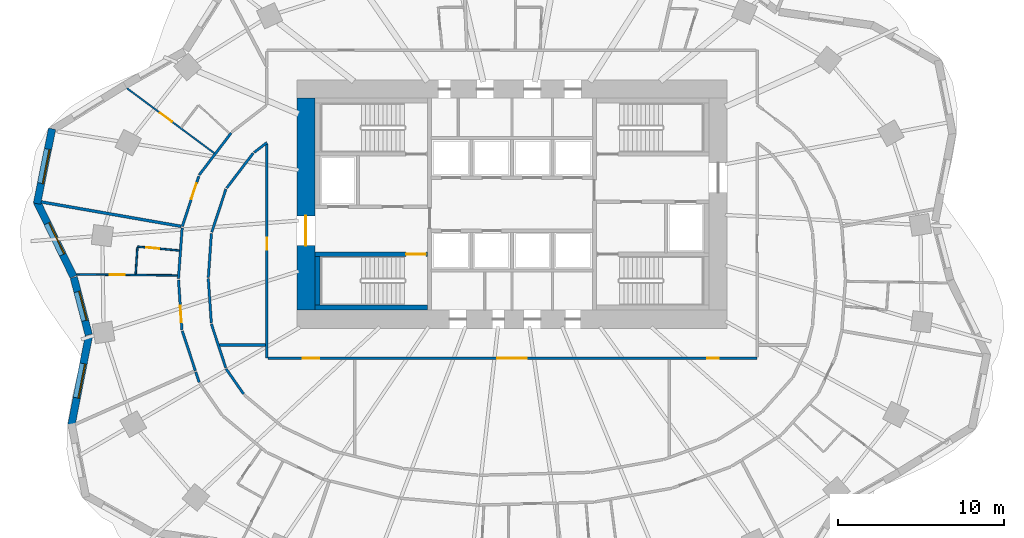
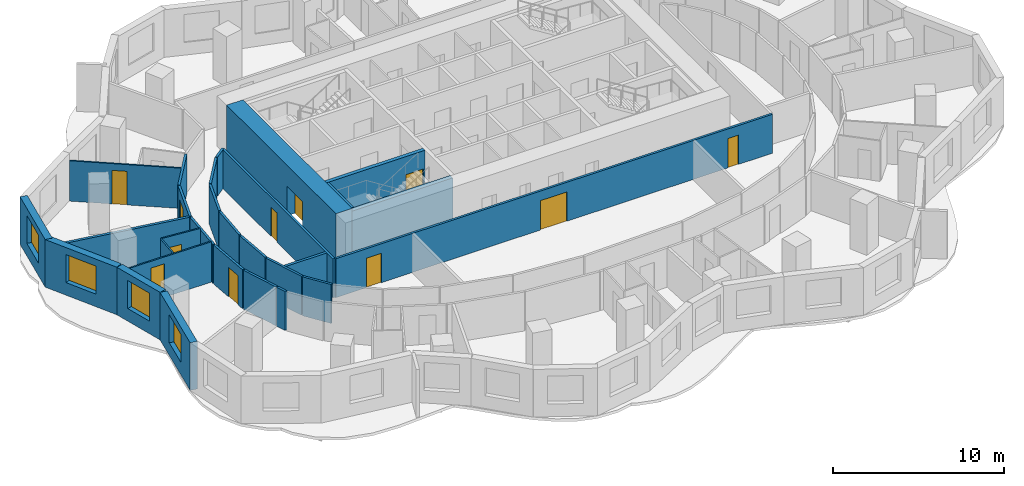
# One storey, part 4 of 10: 29 walls, 11 doors, 4 windows, 15 openings.
"""IFC4 building model written with IfcOpenShell, lengths in metres."""

from ifc_helpers import new_model, si_unit, direction, frame, frame_2d, origin, place, context, subcontext, project, spatial, rectangle, extrude, material, layer, layer_set, type_object, element, fill, save


model = new_model("IFC4")

# Units and contexts
model_context = context("Model", 3, precision=1e-05, world=origin(), true_north=direction((0.0, 1.0)))
body_context = subcontext(model_context, "Body", "Model", "MODEL_VIEW")
ifc_project = project(units=[si_unit("LENGTHUNIT", "METRE"), si_unit("AREAUNIT", "SQUARE_METRE"), si_unit("VOLUMEUNIT", "CUBIC_METRE"), si_unit("PLANEANGLEUNIT", "RADIAN"), si_unit("MASSUNIT", "GRAM", prefix="KILO")], contexts=[model_context])

# Site, building, storey
site_placement = place(None, origin())
site = spatial("IfcSite", under=ifc_project, at=site_placement, CompositionType="ELEMENT")
building_placement = place(site_placement, origin())
building = spatial("IfcBuilding", under=site, at=building_placement, Name="Rubra Terraces Tower", CompositionType="ELEMENT")
storey_placement = place(building_placement, frame((0.0, 0.0, 88.800048828125)))
storey = spatial("IfcBuildingStorey", under=building, at=storey_placement, Name="L20", CompositionType="ELEMENT", Elevation=88.800048828125)

# Walls
ifc_material_1 = material(Name="Twin plasterboard on staggered steel stud, acoustic mineral wool", Category="steel")
ifc_layer_1 = layer(ifc_material_1, 0.175048828125)
ifc_layer_set_1 = layer_set([ifc_layer_1], Name="Twin plasterboard on staggered steel stud, acoustic mineral wool")
wall_type_1 = type_object("IfcWallType", Name="ACOUSTIC PARTY WALL 175", PredefinedType="PARTITIONING", material=ifc_layer_set_1)
wall_1_placement = place(storey_placement, frame((-28.435791015625, 4.63818359375, 0.0), z_axis=(0.0, 0.0, 1.0), x_axis=(0.985076851218, -0.172115069633, 0.0)))
element("IfcWall", 1, at=wall_1_placement, inside=storey, type_object=wall_type_1, Name="PARTITION", PredefinedType="PARTITIONING", context=body_context, shape_type="SweptSolid", body=[
    extrude(rectangle(XDim=8.5732421875, YDim=0.175048828125, at=frame_2d((4.28662109375, 0.0))), origin(), (0.0, 0.0, 1.0), 2.783935546875),
])
wall_2_placement = place(storey_placement, frame((-17.667724609375, -4.0, 0.0), z_axis=(0.0, 0.0, 1.0), x_axis=(1.0, 0.0, 0.0)))
element("IfcWall", 2, at=wall_2_placement, inside=storey, type_object=wall_type_1, Name="PARTITION", PredefinedType="PARTITIONING", context=body_context, shape_type="SweptSolid", body=[
    extrude(rectangle(XDim=2.792724609375, YDim=0.175048828125, at=frame_2d((1.396484375, 0.0))), origin(), (0.0, 0.0, 1.0), 2.783935546875),
])

# Wall, opening, window
ifc_material_2 = material(Name="Brick masonry red-brown", Category="masonry")
ifc_layer_2 = layer(ifc_material_2, 0.449951171875)
ifc_layer_set_2 = layer_set([ifc_layer_2], Name="Brick masonry red-brown")
wall_type_2 = type_object("IfcWallType", Name="Brick facade wall 450", PredefinedType="SOLIDWALL", material=ifc_layer_set_2)
wall_3_placement = place(storey_placement, frame((-27.779541015625, 9.053466796875, 0.0), z_axis=(0.0, 0.0, 1.0), x_axis=(-0.197796229105, -0.980243159503, 0.0)))
wall_3 = element("IfcWall", 3, at=wall_3_placement, inside=storey, type_object=wall_type_2, Name="Facade wall L20 bay 19", PredefinedType="SOLIDWALL", context=body_context, shape_type="SweptSolid", body=[
    extrude(rectangle(XDim=4.610107421875, YDim=0.449951171875, at=frame_2d((2.30517578125, 0.0))), origin(), (0.0, 0.0, 1.0), 3.39990234375),
])
opening_1_placement = place(wall_3_placement, frame((1.255126953125, 0.0, 0.89990234375)))
opening_1 = element("IfcOpeningElement", 4, at=opening_1_placement, cuts=wall_3, Name="Opening W1", PredefinedType="OPENING", context=body_context, shape_type="SweptSolid", body=[
    extrude(rectangle(XDim=2.10009765625, YDim=2.0, at=frame_2d((1.050048828125, 1.0))), frame((0.0, 0.23486328125, 0.0), z_axis=(0.0, -1.0, 0.0), x_axis=(1.0, 0.0, 0.0)), (0.0, 0.0, 1.0), 0.469970703125),
])
ifc_material_3 = material(Name="Clear glass in aluminium frame", Category="aluminium")
window_type_1 = type_object("IfcWindowType", Name="Fixed deep-set window 2100 x 2000", PartitioningType="SINGLE_PANEL", PredefinedType="WINDOW", material=ifc_material_3)
window_1_placement = place(opening_1_placement, origin())
window_1 = element("IfcWindow", 5, at=window_1_placement, inside=storey, type_object=window_type_1, Name="Window L20 bay 19", OverallHeight=2.0, OverallWidth=2.10009765625, PartitioningType="SINGLE_PANEL", PredefinedType="WINDOW", context=body_context, shape_type="SweptSolid", body=[
    extrude(rectangle(XDim=2.10009765625, YDim=2.0, at=frame_2d((1.050048828125, 1.0))), frame((0.0, 0.135009765625, 0.0), z_axis=(0.0, -1.0, 0.0), x_axis=(1.0, 0.0, 0.0)), (0.0, 0.0, 1.0), 0.06005859375),
])
fill(opening_1, window_1)

wall_4_placement = place(storey_placement, frame((-28.70703125, 4.672119140625, 0.0), z_axis=(0.0, 0.0, 1.0), x_axis=(0.439053549989, -0.898460895221, 0.0)))
wall_4 = element("IfcWall", 6, at=wall_4_placement, inside=storey, type_object=wall_type_2, Name="Facade wall L20 bay 20", PredefinedType="SOLIDWALL", context=body_context, shape_type="SweptSolid", body=[
    extrude(rectangle(XDim=5.061767578125, YDim=0.449951171875, at=frame_2d((2.53076171875, 0.0))), origin(), (0.0, 0.0, 1.0), 3.39990234375),
])
opening_2_placement = place(wall_4_placement, frame((1.48095703125, 0.0, 0.89990234375)))
opening_2 = element("IfcOpeningElement", 7, at=opening_2_placement, cuts=wall_4, Name="Opening W1", PredefinedType="OPENING", context=body_context, shape_type="SweptSolid", body=[
    extrude(rectangle(XDim=2.10009765625, YDim=2.0, at=frame_2d((1.050048828125, 1.0))), frame((0.0, 0.23486328125, 0.0), z_axis=(0.0, -1.0, 0.0), x_axis=(1.0, 0.0, 0.0)), (0.0, 0.0, 1.0), 0.469970703125),
])
window_2_placement = place(opening_2_placement, origin())
window_2 = element("IfcWindow", 8, at=window_2_placement, inside=storey, type_object=window_type_1, Name="Window L20 bay 20", OverallHeight=2.0, OverallWidth=2.10009765625, PartitioningType="SINGLE_PANEL", PredefinedType="WINDOW", context=body_context, shape_type="SweptSolid", body=[
    extrude(rectangle(XDim=2.10009765625, YDim=2.0, at=frame_2d((1.050048828125, 1.0))), frame((0.0, 0.135009765625, 0.0), z_axis=(0.0, -1.0, 0.0), x_axis=(1.0, 0.0, 0.0)), (0.0, 0.0, 1.0), 0.06005859375),
])
fill(opening_2, window_2)

wall_5_placement = place(storey_placement, frame((-26.469482421875, 0.0791015625, 0.0), z_axis=(0.0, 0.0, 1.0), x_axis=(0.252446779859, -0.967610780913, 0.0)))
wall_5 = element("IfcWall", 9, at=wall_5_placement, inside=storey, type_object=wall_type_2, Name="Facade wall L20 bay 21", PredefinedType="SOLIDWALL", context=body_context, shape_type="SweptSolid", body=[
    extrude(rectangle(XDim=3.5947265625, YDim=0.449951171875, at=frame_2d((1.79736328125, 0.0))), origin(), (0.0, 0.0, 1.0), 3.39990234375),
])
opening_3_placement = place(wall_5_placement, frame((0.897216796875, 0.0, 0.89990234375)))
opening_3 = element("IfcOpeningElement", 10, at=opening_3_placement, cuts=wall_5, Name="Opening W6", PredefinedType="OPENING", context=body_context, shape_type="SweptSolid", body=[
    extrude(rectangle(XDim=1.800048828125, YDim=2.0, at=frame_2d((0.89990234375, 1.0))), frame((0.0, 0.23486328125, 0.0), z_axis=(0.0, -1.0, 0.0), x_axis=(1.0, 0.0, 0.0)), (0.0, 0.0, 1.0), 0.469970703125),
])
window_type_2 = type_object("IfcWindowType", Name="Fixed deep-set window at wind fin 1800 x 2000", PartitioningType="SINGLE_PANEL", PredefinedType="WINDOW", material=ifc_material_3)
window_3_placement = place(opening_3_placement, origin())
window_3 = element("IfcWindow", 11, at=window_3_placement, inside=storey, type_object=window_type_2, Name="Window L20 bay 21", OverallHeight=2.0, OverallWidth=1.800048828125, PartitioningType="SINGLE_PANEL", PredefinedType="WINDOW", context=body_context, shape_type="SweptSolid", body=[
    extrude(rectangle(XDim=1.800048828125, YDim=2.0, at=frame_2d((0.89990234375, 1.0))), frame((0.0, 0.135009765625, 0.0), z_axis=(0.0, -1.0, 0.0), x_axis=(1.0, 0.0, 0.0)), (0.0, 0.0, 1.0), 0.06005859375),
])
fill(opening_3, window_3)

wall_6_placement = place(storey_placement, frame((-25.561279296875, -3.490478515625, 0.0), z_axis=(0.0, 0.0, 1.0), x_axis=(-0.192494026297, -0.981298145234, 0.0)))
wall_6 = element("IfcWall", 12, at=wall_6_placement, inside=storey, type_object=wall_type_2, Name="Facade wall L20 bay 22", PredefinedType="SOLIDWALL", context=body_context, shape_type="SweptSolid", body=[
    extrude(rectangle(XDim=5.446044921875, YDim=0.449951171875, at=frame_2d((2.72314453125, 0.0))), origin(), (0.0, 0.0, 1.0), 3.39990234375),
])
opening_4_placement = place(wall_6_placement, frame((1.673095703125, 0.0, 0.89990234375)))
opening_4 = element("IfcOpeningElement", 13, at=opening_4_placement, cuts=wall_6, Name="Opening W1", PredefinedType="OPENING", context=body_context, shape_type="SweptSolid", body=[
    extrude(rectangle(XDim=2.10009765625, YDim=2.0, at=frame_2d((1.050048828125, 1.0))), frame((0.0, 0.23486328125, 0.0), z_axis=(0.0, -1.0, 0.0), x_axis=(1.0, 0.0, 0.0)), (0.0, 0.0, 1.0), 0.469970703125),
])
window_4_placement = place(opening_4_placement, origin())
window_4 = element("IfcWindow", 14, at=window_4_placement, inside=storey, type_object=window_type_1, Name="Window L20 bay 22", OverallHeight=2.0, OverallWidth=2.10009765625, PartitioningType="SINGLE_PANEL", PredefinedType="WINDOW", context=body_context, shape_type="SweptSolid", body=[
    extrude(rectangle(XDim=2.10009765625, YDim=2.0, at=frame_2d((1.050048828125, 1.0))), frame((0.0, 0.135009765625, 0.0), z_axis=(0.0, -1.0, 0.0), x_axis=(1.0, 0.0, 0.0)), (0.0, 0.0, 1.0), 0.06005859375),
])
fill(opening_4, window_4)

# Wall, opening, door
ifc_material_4 = material(Name="Concrete C60", Category="concrete")
ifc_layer_3 = layer(ifc_material_4, 1.10009765625)
ifc_layer_set_3 = layer_set([ifc_layer_3], Name="Concrete C60")
wall_type_3 = type_object("IfcWallType", Name="CORE WALL 1100 C60", PredefinedType="SHEAR", material=ifc_layer_set_3)
wall_7_placement = place(storey_placement, frame((-12.449951171875, -1.89990234375, 0.0), z_axis=(0.0, 0.0, 1.0), x_axis=(0.0, 1.0, 0.0)))
wall_7 = element("IfcWall", 15, at=wall_7_placement, inside=storey, type_object=wall_type_3, Name="CORE WALL W L20", PredefinedType="SHEAR", context=body_context, shape_type="SweptSolid", body=[
    extrude(rectangle(XDim=12.7998046875, YDim=1.10009765625, at=frame_2d((6.39990234375, 0.0))), origin(), (0.0, 0.0, 1.0), 3.599853515625),
])
opening_5_placement = place(wall_7_placement, frame((3.89990234375, 0.0, 0.0)))
opening_5 = element("IfcOpeningElement", 16, at=opening_5_placement, cuts=wall_7, Name="Opening L20.C01", PredefinedType="OPENING", context=body_context, shape_type="SweptSolid", body=[
    extrude(rectangle(XDim=1.800048828125, YDim=2.10009765625, at=frame_2d((0.89990234375, 1.050048828125))), frame((0.0, 0.56005859375, 0.0), z_axis=(0.0, -1.0, 0.0), x_axis=(1.0, 0.0, 0.0)), (0.0, 0.0, 1.0), 1.1201171875),
])
ifc_material_5 = material(Name="Painted steel", Category="steel")
door_type_1 = type_object("IfcDoorType", Name="Fire door 1800x2100 double", OperationType="NOTDEFINED", PredefinedType="DOOR", material=ifc_material_5)
door_1_placement = place(opening_5_placement, origin())
door_1 = element("IfcDoor", 17, at=door_1_placement, inside=storey, type_object=door_type_1, Name="Core entrance door FF1", OperationType="DOUBLE_DOOR_SINGLE_SWING", OverallHeight=2.10009765625, OverallWidth=1.800048828125, PredefinedType="DOOR", context=body_context, shape_type="SweptSolid", body=[
    extrude(rectangle(XDim=1.800048828125, YDim=2.10009765625, at=frame_2d((0.89990234375, 1.050048828125))), frame((0.0, 0.02490234375, 0.0), z_axis=(0.0, -1.0, 0.0), x_axis=(1.0, 0.0, 0.0)), (0.0, 0.0, 1.0), 0.050048828125),
])
fill(opening_5, door_1)

# Wall
ifc_material_6 = material(Name="Plasterboard on steel stud, mineral wool infill", Category="steel")
ifc_layer_4 = layer(ifc_material_6, 0.14990234375)
ifc_layer_set_4 = layer_set([ifc_layer_4], Name="Plasterboard on steel stud, mineral wool infill")
wall_type_4 = type_object("IfcWallType", Name="CORRIDOR PARTITION 150", PredefinedType="PARTITIONING", material=ifc_layer_set_4)
wall_8_placement = place(storey_placement, frame((-16.966796875, 8.799560546875, 0.0), z_axis=(0.0, 0.0, 1.0), x_axis=(-0.604991921991, -0.796231608469, 0.0)))
element("IfcWall", 18, at=wall_8_placement, inside=storey, type_object=wall_type_4, Name="PARTITION", PredefinedType="PARTITIONING", context=body_context, shape_type="SweptSolid", body=[
    extrude(rectangle(XDim=3.18505859375, YDim=0.14990234375, at=frame_2d((1.592529296875, 0.0))), origin(), (0.0, 0.0, 1.0), 2.783935546875),
])

# Wall, opening, door
wall_9_placement = place(storey_placement, frame((-18.917236328125, 6.192138671875, 0.0), z_axis=(0.0, 0.0, 1.0), x_axis=(-0.312108072507, -0.950046604686, 0.0)))
wall_9 = element("IfcWall", 19, at=wall_9_placement, inside=storey, type_object=wall_type_4, Name="PARTITION", PredefinedType="PARTITIONING", context=body_context, shape_type="SweptSolid", body=[
    extrude(rectangle(XDim=3.202392578125, YDim=0.14990234375, at=frame_2d((1.60107421875, 0.0))), origin(), (0.0, 0.0, 1.0), 2.783935546875),
])
opening_6_placement = place(wall_9_placement, frame((0.449951171875, 0.0, 0.0)))
opening_6 = element("IfcOpeningElement", 20, at=opening_6_placement, cuts=wall_9, Name="Opening 20-108", PredefinedType="OPENING", context=body_context, shape_type="SweptSolid", body=[
    extrude(rectangle(XDim=1.0, YDim=2.10009765625, at=frame_2d((0.5, 1.050048828125))), frame((0.0, 0.0849609375, 0.0), z_axis=(0.0, -1.0, 0.0), x_axis=(1.0, 0.0, 0.0)), (0.0, 0.0, 1.0), 0.169921875),
])
ifc_material_7 = material(Name="Painted timber door leaf", Category="wood")
door_type_2 = type_object("IfcDoorType", Name="ROOM DOOR 1000 X 2100", OperationType="SINGLE_SWING_LEFT", PredefinedType="DOOR", material=ifc_material_7)
door_2_placement = place(opening_6_placement, origin())
door_2 = element("IfcDoor", 21, at=door_2_placement, inside=storey, type_object=door_type_2, Name="DOOR 20-108", OperationType="SINGLE_SWING_RIGHT", OverallHeight=2.10009765625, OverallWidth=1.0, PredefinedType="DOOR", context=body_context, shape_type="SweptSolid", body=[
    extrude(rectangle(XDim=1.0, YDim=2.10009765625, at=frame_2d((0.5, 1.050048828125))), frame((0.0, 0.02490234375, 0.0), z_axis=(0.0, -1.0, 0.0), x_axis=(1.0, 0.0, 0.0)), (0.0, 0.0, 1.0), 0.050048828125),
])
fill(opening_6, door_2)

# Wall
wall_10_placement = place(storey_placement, frame((-19.922119140625, 3.07470703125, 0.0), z_axis=(0.0, 0.0, 1.0), x_axis=(-0.073565410214, -0.997290394228, 0.0)))
element("IfcWall", 22, at=wall_10_placement, inside=storey, type_object=wall_type_4, Name="PARTITION", PredefinedType="PARTITIONING", context=body_context, shape_type="SweptSolid", body=[
    extrude(rectangle(XDim=3.0830078125, YDim=0.14990234375, at=frame_2d((1.54150390625, 0.0))), origin(), (0.0, 0.0, 1.0), 2.783935546875),
])

# Wall, opening, door
wall_11_placement = place(storey_placement, frame((-20.143798828125, -0.07470703125, 0.0), z_axis=(0.0, 0.0, 1.0), x_axis=(0.068280105787, -0.997666190243, 0.0)))
wall_11 = element("IfcWall", 23, at=wall_11_placement, inside=storey, type_object=wall_type_4, Name="PARTITION", PredefinedType="PARTITIONING", context=body_context, shape_type="SweptSolid", body=[
    extrude(rectangle(XDim=3.017822265625, YDim=0.14990234375, at=frame_2d((1.5087890625, 0.0))), origin(), (0.0, 0.0, 1.0), 2.783935546875),
])
opening_7_placement = place(wall_11_placement, frame((1.550048828125, 0.0, 0.0)))
opening_7 = element("IfcOpeningElement", 24, at=opening_7_placement, cuts=wall_11, Name="Opening 20-111", PredefinedType="OPENING", context=body_context, shape_type="SweptSolid", body=[
    extrude(rectangle(XDim=1.0, YDim=2.10009765625, at=frame_2d((0.5, 1.050048828125))), frame((0.0, 0.0849609375, 0.0), z_axis=(0.0, -1.0, 0.0), x_axis=(1.0, 0.0, 0.0)), (0.0, 0.0, 1.0), 0.169921875),
])
door_3_placement = place(opening_7_placement, origin())
door_3 = element("IfcDoor", 25, at=door_3_placement, inside=storey, type_object=door_type_2, Name="DOOR 20-111", OperationType="SINGLE_SWING_RIGHT", OverallHeight=2.10009765625, OverallWidth=1.0, PredefinedType="DOOR", context=body_context, shape_type="SweptSolid", body=[
    extrude(rectangle(XDim=1.0, YDim=2.10009765625, at=frame_2d((0.5, 1.050048828125))), frame((0.0, 0.02490234375, 0.0), z_axis=(0.0, -1.0, 0.0), x_axis=(1.0, 0.0, 0.0)), (0.0, 0.0, 1.0), 0.050048828125),
])
fill(opening_7, door_3)

# Walls
wall_12_placement = place(storey_placement, frame((-19.914306640625, -3.15673828125, 0.0), z_axis=(0.0, 0.0, 1.0), x_axis=(0.312037873477, -0.950069663507, 0.0)))
element("IfcWall", 26, at=wall_12_placement, inside=storey, type_object=wall_type_4, Name="PARTITION", PredefinedType="PARTITIONING", context=body_context, shape_type="SweptSolid", body=[
    extrude(rectangle(XDim=2.53662109375, YDim=0.14990234375, at=frame_2d((1.268310546875, 0.0))), origin(), (0.0, 0.0, 1.0), 2.783935546875),
])
wall_13_placement = place(storey_placement, frame((-19.099365234375, -5.637939453125, 0.0), z_axis=(0.0, 0.0, 1.0), x_axis=(0.312220223489, -0.950009753657, 0.0)))
element("IfcWall", 27, at=wall_13_placement, inside=storey, type_object=wall_type_4, Name="PARTITION", PredefinedType="PARTITIONING", context=body_context, shape_type="SweptSolid", body=[
    extrude(rectangle(XDim=0.658447265625, YDim=0.14990234375, at=frame_2d((0.3291015625, 0.0))), origin(), (0.0, 0.0, 1.0), 2.783935546875),
])
wall_14_placement = place(storey_placement, frame((-16.20947265625, -6.9658203125, 0.0), z_axis=(0.0, 0.0, 1.0), x_axis=(-0.572051367607, 0.820217795966, 0.0)))
element("IfcWall", 28, at=wall_14_placement, inside=storey, type_object=wall_type_4, Name="PARTITION", PredefinedType="PARTITIONING", context=body_context, shape_type="SweptSolid", body=[
    extrude(rectangle(XDim=1.84765625, YDim=0.14990234375, at=frame_2d((0.923828125, 0.0))), origin(), (0.0, 0.0, 1.0), 2.783935546875),
])
wall_15_placement = place(storey_placement, frame((-17.289794921875, -5.379150390625, 0.0), z_axis=(0.0, 0.0, 1.0), x_axis=(-0.312009486843, 0.950078986253, 0.0)))
element("IfcWall", 29, at=wall_15_placement, inside=storey, type_object=wall_type_4, Name="PARTITION", PredefinedType="PARTITIONING", context=body_context, shape_type="SweptSolid", body=[
    extrude(rectangle(XDim=2.780029296875, YDim=0.14990234375, at=frame_2d((1.39013671875, 0.0))), origin(), (0.0, 0.0, 1.0), 2.783935546875),
])
for number, where, z_axis, x_axis, name in (
    (30, (-18.162353515625, -2.6630859375, 0.0), (0.0, 0.0, 1.0), (-0.068321828968, 0.997663333839, 0.0), "PARTITION"),
    (31, (-18.339599609375, 0.07470703125, 0.0), (0.0, 0.0, 1.0), (0.068321828968, 0.997663333839, 0.0), "PARTITION"),
):
    element("IfcWall", number, at=place(storey_placement, frame(where, z_axis=z_axis, x_axis=x_axis)), inside=storey, type_object=wall_type_4, Name=name, PredefinedType="PARTITIONING", context=body_context, shape_type="SweptSolid", body=[
        extrude(rectangle(XDim=2.66943359375, YDim=0.14990234375, at=frame_2d((1.334716796875, 0.0))), origin(), (0.0, 0.0, 1.0), 2.783935546875),
    ])
wall_16_placement = place(storey_placement, frame((-18.1337890625, 2.80908203125, 0.0), z_axis=(0.0, 0.0, 1.0), x_axis=(0.312005223814, 0.950080386237, 0.0)))
element("IfcWall", 32, at=wall_16_placement, inside=storey, type_object=wall_type_4, Name="PARTITION", PredefinedType="PARTITIONING", context=body_context, shape_type="SweptSolid", body=[
    extrude(rectangle(XDim=2.74267578125, YDim=0.14990234375, at=frame_2d((1.371337890625, 0.0))), origin(), (0.0, 0.0, 1.0), 2.783935546875),
])
wall_17_placement = place(storey_placement, frame((-17.232666015625, 5.474609375, 0.0), z_axis=(0.0, 0.0, 1.0), x_axis=(0.605024750549, 0.796206663639, 0.0)))
element("IfcWall", 33, at=wall_17_placement, inside=storey, type_object=wall_type_4, Name="PARTITION", PredefinedType="PARTITIONING", context=body_context, shape_type="SweptSolid", body=[
    extrude(rectangle(XDim=2.644775390625, YDim=0.14990234375, at=frame_2d((1.322265625, 0.0))), origin(), (0.0, 0.0, 1.0), 2.783935546875),
])
wall_18_placement = place(storey_placement, frame((-15.572998046875, 7.626220703125, 0.0), z_axis=(0.0, 0.0, 1.0), x_axis=(0.791581834002, 0.611063171921, 0.0)))
element("IfcWall", 34, at=wall_18_placement, inside=storey, type_object=wall_type_4, Name="PARTITION", PredefinedType="PARTITIONING", context=body_context, shape_type="SweptSolid", body=[
    extrude(rectangle(XDim=0.9765625, YDim=0.14990234375, at=frame_2d((0.48828125, 0.0))), origin(), (0.0, 0.0, 1.0), 2.783935546875),
])

# Wall, opening, door
wall_19_placement = place(storey_placement, frame((-14.800048828125, 8.14794921875, 0.0), z_axis=(0.0, 0.0, 1.0), x_axis=(0.0, -1.0, 0.0)))
wall_19 = element("IfcWall", 35, at=wall_19_placement, inside=storey, type_object=wall_type_4, Name="PARTITION", PredefinedType="PARTITIONING", context=body_context, shape_type="SweptSolid", body=[
    extrude(rectangle(XDim=12.947998046875, YDim=0.14990234375, at=frame_2d((6.47412109375, 0.0))), origin(), (0.0, 0.0, 1.0), 2.783935546875),
])
opening_8_placement = place(wall_19_placement, frame((5.68701171875, 0.0, 0.0)))
opening_8 = element("IfcOpeningElement", 36, at=opening_8_placement, cuts=wall_19, Name="Opening 20-129", PredefinedType="OPENING", context=body_context, shape_type="SweptSolid", body=[
    extrude(rectangle(XDim=0.699951171875, YDim=2.10009765625, at=frame_2d((0.35009765625, 1.050048828125))), frame((0.0, 0.0849609375, 0.0), z_axis=(0.0, -1.0, 0.0), x_axis=(1.0, 0.0, 0.0)), (0.0, 0.0, 1.0), 0.169921875),
])
door_type_3 = type_object("IfcDoorType", Name="STORE DOOR 700 X 2100", OperationType="SINGLE_SWING_LEFT", PredefinedType="DOOR", material=ifc_material_7)
door_4_placement = place(opening_8_placement, origin())
door_4 = element("IfcDoor", 37, at=door_4_placement, inside=storey, type_object=door_type_3, Name="DOOR 20-129", OperationType="SINGLE_SWING_RIGHT", OverallHeight=2.10009765625, OverallWidth=0.699951171875, PredefinedType="DOOR", context=body_context, shape_type="SweptSolid", body=[
    extrude(rectangle(XDim=0.699951171875, YDim=2.10009765625, at=frame_2d((0.35009765625, 1.050048828125))), frame((0.0, 0.02490234375, 0.0), z_axis=(0.0, -1.0, 0.0), x_axis=(1.0, 0.0, 0.0)), (0.0, 0.0, 1.0), 0.050048828125),
])
fill(opening_8, door_4)

# Wall, openings, doors
wall_20_placement = place(storey_placement, frame((-14.72509765625, -4.800048828125, 0.0), z_axis=(0.0, 0.0, 1.0), x_axis=(1.0, 0.0, 0.0)))
wall_20 = element("IfcWall", 38, at=wall_20_placement, inside=storey, type_object=wall_type_4, Name="PARTITION", PredefinedType="PARTITIONING", context=body_context, shape_type="SweptSolid", body=[
    extrude(rectangle(XDim=29.525146484375, YDim=0.14990234375, at=frame_2d((14.7626953125, 0.0))), origin(), (0.0, 0.0, 1.0), 2.783935546875),
])
opening_9_placement = place(wall_20_placement, frame((2.074951171875, 0.0, 0.0)))
opening_9 = element("IfcOpeningElement", 39, at=opening_9_placement, cuts=wall_20, Name="Opening 20-130", PredefinedType="OPENING", context=body_context, shape_type="SweptSolid", body=[
    extrude(rectangle(XDim=1.0, YDim=2.10009765625, at=frame_2d((0.5, 1.050048828125))), frame((0.0, 0.0849609375, 0.0), z_axis=(0.0, -1.0, 0.0), x_axis=(1.0, 0.0, 0.0)), (0.0, 0.0, 1.0), 0.169921875),
])
opening_10_placement = place(wall_20_placement, frame((13.824951171875, 0.0, 0.0)))
opening_10 = element("IfcOpeningElement", 40, at=opening_10_placement, cuts=wall_20, Name="Opening 20-131", PredefinedType="OPENING", context=body_context, shape_type="SweptSolid", body=[
    extrude(rectangle(XDim=1.800048828125, YDim=2.10009765625, at=frame_2d((0.89990234375, 1.050048828125))), frame((0.0, 0.0849609375, 0.0), z_axis=(0.0, -1.0, 0.0), x_axis=(1.0, 0.0, 0.0)), (0.0, 0.0, 1.0), 0.169921875),
])
opening_11_placement = place(wall_20_placement, frame((26.52490234375, 0.0, 0.0)))
opening_11 = element("IfcOpeningElement", 41, at=opening_11_placement, cuts=wall_20, Name="Opening 20-132", PredefinedType="OPENING", context=body_context, shape_type="SweptSolid", body=[
    extrude(rectangle(XDim=0.699951171875, YDim=2.10009765625, at=frame_2d((0.35009765625, 1.050048828125))), frame((0.0, 0.0849609375, 0.0), z_axis=(0.0, -1.0, 0.0), x_axis=(1.0, 0.0, 0.0)), (0.0, 0.0, 1.0), 0.169921875),
])
door_5_placement = place(opening_9_placement, origin())
door_5 = element("IfcDoor", 42, at=door_5_placement, inside=storey, type_object=door_type_2, Name="DOOR 20-130", OperationType="SINGLE_SWING_RIGHT", OverallHeight=2.10009765625, OverallWidth=1.0, PredefinedType="DOOR", context=body_context, shape_type="SweptSolid", body=[
    extrude(rectangle(XDim=1.0, YDim=2.10009765625, at=frame_2d((0.5, 1.050048828125))), frame((0.0, 0.02490234375, 0.0), z_axis=(0.0, -1.0, 0.0), x_axis=(1.0, 0.0, 0.0)), (0.0, 0.0, 1.0), 0.050048828125),
])
fill(opening_9, door_5)
ifc_material_8 = material(Name="Painted timber door leaf, double", Category="wood")
door_type_4 = type_object("IfcDoorType", Name="ROOM DOUBLE DOOR 1800 X 2100", OperationType="DOUBLE_DOOR_SINGLE_SWING", PredefinedType="DOOR", material=ifc_material_8)
door_6_placement = place(opening_10_placement, origin())
door_6 = element("IfcDoor", 43, at=door_6_placement, inside=storey, type_object=door_type_4, Name="DOOR 20-131", OperationType="DOUBLE_DOOR_SINGLE_SWING", OverallHeight=2.10009765625, OverallWidth=1.800048828125, PredefinedType="DOOR", context=body_context, shape_type="SweptSolid", body=[
    extrude(rectangle(XDim=1.800048828125, YDim=2.10009765625, at=frame_2d((0.89990234375, 1.050048828125))), frame((0.0, 0.02490234375, 0.0), z_axis=(0.0, -1.0, 0.0), x_axis=(1.0, 0.0, 0.0)), (0.0, 0.0, 1.0), 0.050048828125),
])
fill(opening_10, door_6)
door_7_placement = place(opening_11_placement, origin())
door_7 = element("IfcDoor", 44, at=door_7_placement, inside=storey, type_object=door_type_3, Name="DOOR 20-132", OperationType="SINGLE_SWING_RIGHT", OverallHeight=2.10009765625, OverallWidth=0.699951171875, PredefinedType="DOOR", context=body_context, shape_type="SweptSolid", body=[
    extrude(rectangle(XDim=0.699951171875, YDim=2.10009765625, at=frame_2d((0.35009765625, 1.050048828125))), frame((0.0, 0.02490234375, 0.0), z_axis=(0.0, -1.0, 0.0), x_axis=(1.0, 0.0, 0.0)), (0.0, 0.0, 1.0), 0.050048828125),
])
fill(opening_11, door_7)

# Walls
ifc_material_9 = material(Name="Concrete C40", Category="concrete")
ifc_layer_5 = layer(ifc_material_9, 0.300048828125)
ifc_layer_set_5 = layer_set([ifc_layer_5], Name="Concrete C40")
wall_type_5 = type_object("IfcWallType", Name="Core lining wall 300 concrete", PredefinedType="SOLIDWALL", material=ifc_layer_set_5)
wall_21_placement = place(storey_placement, frame((-11.89990234375, -1.75, 0.0), z_axis=(0.0, 0.0, 1.0), x_axis=(1.0, 0.0, 0.0)))
element("IfcWall", 45, at=wall_21_placement, inside=storey, type_object=wall_type_5, Name="CORE LINING WALL L20", PredefinedType="SOLIDWALL", context=body_context, shape_type="SweptSolid", body=[
    extrude(rectangle(XDim=6.7998046875, YDim=0.300048828125, at=frame_2d((3.39990234375, 0.0))), origin(), (0.0, 0.0, 1.0), 3.39990234375),
])
wall_22_placement = place(storey_placement, frame((-11.75, -1.60009765625, 0.0), z_axis=(0.0, 0.0, 1.0), x_axis=(0.0, 1.0, 0.0)))
element("IfcWall", 46, at=wall_22_placement, inside=storey, type_object=wall_type_5, Name="CORE LINING WALL L20", PredefinedType="SOLIDWALL", context=body_context, shape_type="SweptSolid", body=[
    extrude(rectangle(XDim=2.9501953125, YDim=0.300048828125, at=frame_2d((1.47509765625, 0.0))), origin(), (0.0, 0.0, 1.0), 3.39990234375),
])

# Wall, opening, door
ifc_material_10 = material(Name="Plasterboard on steel stud", Category="steel")
ifc_layer_6 = layer(ifc_material_10, 0.10009765625)
ifc_layer_set_6 = layer_set([ifc_layer_6], Name="Plasterboard on steel stud")
wall_type_6 = type_object("IfcWallType", Name="ROOM PARTITION 100", PredefinedType="PARTITIONING", material=ifc_layer_set_6)
wall_23_placement = place(storey_placement, frame((-23.256103515625, 11.501220703125, 0.0), z_axis=(0.0, 0.0, 1.0), x_axis=(0.802681816508, -0.596407496136, 0.0)))
wall_23 = element("IfcWall", 47, at=wall_23_placement, inside=storey, type_object=wall_type_6, Name="PARTITION", PredefinedType="PARTITIONING", context=body_context, shape_type="SweptSolid", body=[
    extrude(rectangle(XDim=6.567626953125, YDim=0.10009765625, at=frame_2d((3.28369140625, 0.0))), origin(), (0.0, 0.0, 1.0), 2.884033203125),
])
opening_12_placement = place(wall_23_placement, frame((2.491943359375, 0.0, 0.0)))
opening_12 = element("IfcOpeningElement", 48, at=opening_12_placement, cuts=wall_23, Name="Opening 20-107", PredefinedType="OPENING", context=body_context, shape_type="SweptSolid", body=[
    extrude(rectangle(XDim=0.89990234375, YDim=2.39990234375, at=frame_2d((0.449951171875, 1.199951171875))), frame((0.0, 0.06005859375, 0.0), z_axis=(0.0, -1.0, 0.0), x_axis=(1.0, 0.0, 0.0)), (0.0, 0.0, 1.0), 0.1201171875),
])
ifc_material_11 = material(Name="Veneered timber door leaf, fire-rated", Category="wood")
door_type_5 = type_object("IfcDoorType", Name="SUITE ENTRANCE DOOR 900 X 2400", OperationType="SINGLE_SWING_LEFT", PredefinedType="DOOR", material=ifc_material_11)
door_8_placement = place(opening_12_placement, origin())
door_8 = element("IfcDoor", 49, at=door_8_placement, inside=storey, type_object=door_type_5, Name="DOOR 20-107", OperationType="SINGLE_SWING_LEFT", OverallHeight=2.39990234375, OverallWidth=0.89990234375, PredefinedType="DOOR", context=body_context, shape_type="SweptSolid", body=[
    extrude(rectangle(XDim=0.89990234375, YDim=2.39990234375, at=frame_2d((0.449951171875, 1.199951171875))), frame((0.0, 0.02490234375, 0.0), z_axis=(0.0, -1.0, 0.0), x_axis=(1.0, 0.0, 0.0)), (0.0, 0.0, 1.0), 0.050048828125),
])
fill(opening_12, door_8)

wall_24_placement = place(storey_placement, frame((-26.300537109375, 0.26025390625, 0.0), z_axis=(0.0, 0.0, 1.0), x_axis=(0.999951380923, -0.009860820962, 0.0)))
wall_24 = element("IfcWall", 50, at=wall_24_placement, inside=storey, type_object=wall_type_6, Name="PARTITION", PredefinedType="PARTITIONING", context=body_context, shape_type="SweptSolid", body=[
    extrude(rectangle(XDim=6.090576171875, YDim=0.10009765625, at=frame_2d((3.04541015625, 0.0))), origin(), (0.0, 0.0, 1.0), 2.884033203125),
])
opening_13_placement = place(wall_24_placement, frame((2.01611328125, 0.0, 0.0)))
opening_13 = element("IfcOpeningElement", 51, at=opening_13_placement, cuts=wall_24, Name="Opening 20-110", PredefinedType="OPENING", context=body_context, shape_type="SweptSolid", body=[
    extrude(rectangle(XDim=0.89990234375, YDim=2.39990234375, at=frame_2d((0.449951171875, 1.199951171875))), frame((0.0, 0.06005859375, 0.0), z_axis=(0.0, -1.0, 0.0), x_axis=(1.0, 0.0, 0.0)), (0.0, 0.0, 1.0), 0.1201171875),
])
door_9_placement = place(opening_13_placement, origin())
door_9 = element("IfcDoor", 52, at=door_9_placement, inside=storey, type_object=door_type_5, Name="DOOR 20-110", OperationType="SINGLE_SWING_LEFT", OverallHeight=2.39990234375, OverallWidth=0.89990234375, PredefinedType="DOOR", context=body_context, shape_type="SweptSolid", body=[
    extrude(rectangle(XDim=0.89990234375, YDim=2.39990234375, at=frame_2d((0.449951171875, 1.199951171875))), frame((0.0, 0.02490234375, 0.0), z_axis=(0.0, -1.0, 0.0), x_axis=(1.0, 0.0, 0.0)), (0.0, 0.0, 1.0), 0.050048828125),
])
fill(opening_13, door_9)

wall_25_placement = place(storey_placement, frame((-20.107421875, 1.702880859375, 0.0), z_axis=(0.0, 0.0, 1.0), x_axis=(-0.995718618223, 0.092436104003, 0.0)))
wall_25 = element("IfcWall", 53, at=wall_25_placement, inside=storey, type_object=wall_type_6, Name="PARTITION", PredefinedType="PARTITIONING", context=body_context, shape_type="SweptSolid", body=[
    extrude(rectangle(XDim=2.52490234375, YDim=0.10009765625, at=frame_2d((1.262451171875, 0.0))), origin(), (0.0, 0.0, 1.0), 2.884033203125),
])
opening_14_placement = place(wall_25_placement, frame((1.199951171875, 0.0, 0.0)))
opening_14 = element("IfcOpeningElement", 54, at=opening_14_placement, cuts=wall_25, Name="Opening 20-109", PredefinedType="OPENING", context=body_context, shape_type="SweptSolid", body=[
    extrude(rectangle(XDim=0.800048828125, YDim=2.10009765625, at=frame_2d((0.39990234375, 1.050048828125))), frame((0.0, 0.06005859375, 0.0), z_axis=(0.0, -1.0, 0.0), x_axis=(1.0, 0.0, 0.0)), (0.0, 0.0, 1.0), 0.1201171875),
])
door_type_6 = type_object("IfcDoorType", Name="BATHROOM DOOR 800 X 2100", OperationType="SINGLE_SWING_LEFT", PredefinedType="DOOR", material=ifc_material_7)
door_10_placement = place(opening_14_placement, origin())
door_10 = element("IfcDoor", 55, at=door_10_placement, inside=storey, type_object=door_type_6, Name="DOOR 20-109", OperationType="SINGLE_SWING_LEFT", OverallHeight=2.10009765625, OverallWidth=0.800048828125, PredefinedType="DOOR", context=body_context, shape_type="SweptSolid", body=[
    extrude(rectangle(XDim=0.800048828125, YDim=2.10009765625, at=frame_2d((0.39990234375, 1.050048828125))), frame((0.0, 0.02490234375, 0.0), z_axis=(0.0, -1.0, 0.0), x_axis=(1.0, 0.0, 0.0)), (0.0, 0.0, 1.0), 0.050048828125),
])
fill(opening_14, door_10)

# Wall
wall_26_placement = place(storey_placement, frame((-22.625, 1.88623046875, 0.0), z_axis=(0.0, 0.0, 1.0), x_axis=(-0.066067458236, -0.997815158715, 0.0)))
element("IfcWall", 56, at=wall_26_placement, inside=storey, type_object=wall_type_6, Name="PARTITION", PredefinedType="PARTITIONING", context=body_context, shape_type="SweptSolid", body=[
    extrude(rectangle(XDim=1.61474609375, YDim=0.10009765625, at=frame_2d((0.807373046875, 0.0))), origin(), (0.0, 0.0, 1.0), 2.884033203125),
])

# Wall, opening, door
ifc_layer_7 = layer(ifc_material_9, 0.25)
ifc_layer_set_7 = layer_set([ifc_layer_7], Name="Concrete C40")
wall_type_7 = type_object("IfcWallType", Name="Stair enclosure wall 250 concrete", PredefinedType="SOLIDWALL", material=ifc_layer_set_7)
wall_27_placement = place(storey_placement, frame((-11.89990234375, 1.47509765625, 0.0), z_axis=(0.0, 0.0, 1.0), x_axis=(1.0, 0.0, 0.0)))
wall_27 = element("IfcWall", 57, at=wall_27_placement, inside=storey, type_object=wall_type_7, Name="STAIR WALL L20", PredefinedType="SOLIDWALL", context=body_context, shape_type="SweptSolid", body=[
    extrude(rectangle(XDim=6.7998046875, YDim=0.25, at=frame_2d((3.39990234375, 0.0))), origin(), (0.0, 0.0, 1.0), 3.39990234375),
])
opening_15_placement = place(wall_27_placement, frame((5.5, 0.0, 0.0)))
opening_15 = element("IfcOpeningElement", 58, at=opening_15_placement, cuts=wall_27, Name="Opening L20.C07", PredefinedType="OPENING", context=body_context, shape_type="SweptSolid", body=[
    extrude(rectangle(XDim=1.199951171875, YDim=2.10009765625, at=frame_2d((0.60009765625, 1.050048828125))), frame((0.0, 0.135009765625, 0.0), z_axis=(0.0, -1.0, 0.0), x_axis=(1.0, 0.0, 0.0)), (0.0, 0.0, 1.0), 0.27001953125),
])
door_type_7 = type_object("IfcDoorType", Name="Fire door 1200x2100 single", OperationType="NOTDEFINED", PredefinedType="DOOR", material=ifc_material_5)
door_11_placement = place(opening_15_placement, origin())
door_11 = element("IfcDoor", 59, at=door_11_placement, inside=storey, type_object=door_type_7, Name="Stair door S1", OperationType="SINGLE_SWING_LEFT", OverallHeight=2.10009765625, OverallWidth=1.199951171875, PredefinedType="DOOR", context=body_context, shape_type="SweptSolid", body=[
    extrude(rectangle(XDim=1.199951171875, YDim=2.10009765625, at=frame_2d((0.60009765625, 1.050048828125))), frame((0.0, 0.02490234375, 0.0), z_axis=(0.0, -1.0, 0.0), x_axis=(1.0, 0.0, 0.0)), (0.0, 0.0, 1.0), 0.050048828125),
])
fill(opening_15, door_11)

save(model, "model.ifc")
